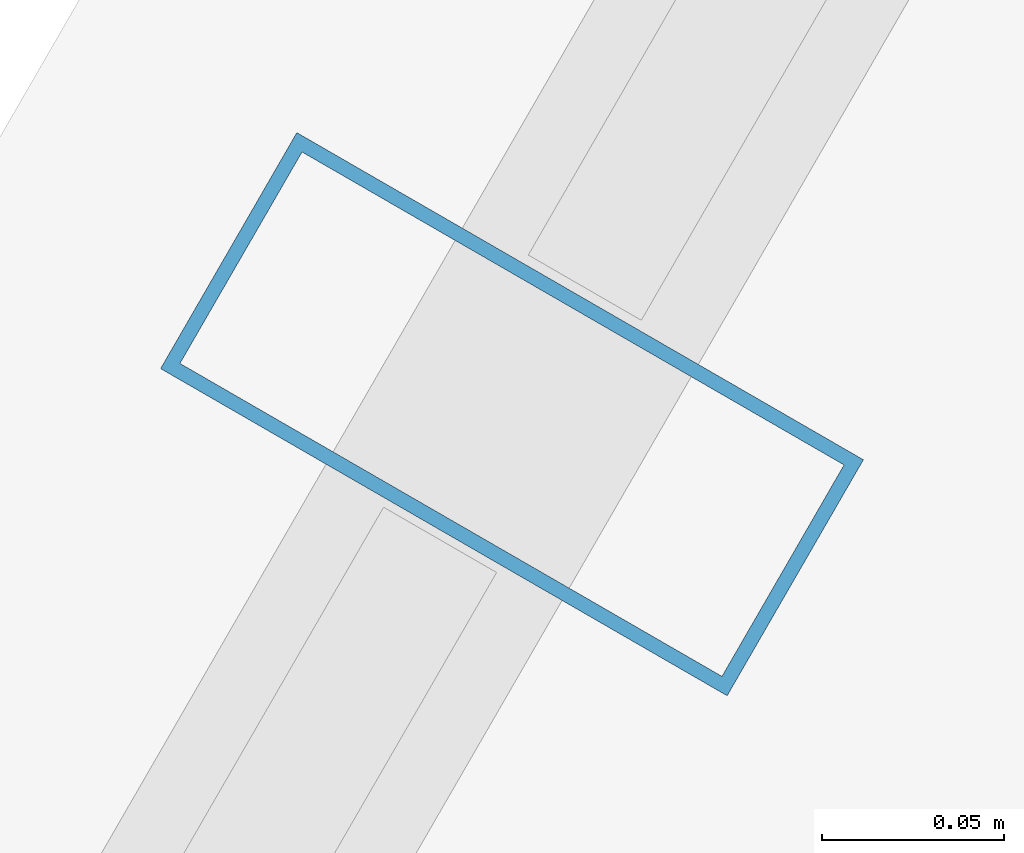
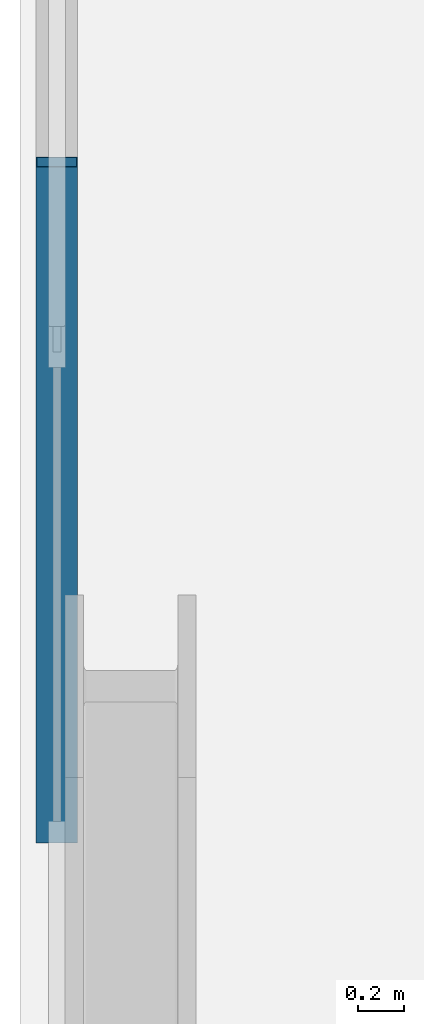
# One storey, part 12 of 33: 1 member, 1 element without a shape of its own.
"""IFC4 building model written with IfcOpenShell, lengths in metres."""

from ifc_helpers import new_model, si_unit, direction, frame, origin, origin_2d, place, context, subcontext, project, spatial, hollow_rectangle, extrude, material, layer, layer_set, material_profile, profile_set, type_object, element, aggregate, save


model = new_model("IFC4")

# Units and contexts
model_context = context("Model", 3, precision=1e-05, world=origin(), true_north=direction((0.0, 1.0)))
body_context = subcontext(model_context, "Body", "Model", "MODEL_VIEW")
ifc_project = project(units=[si_unit("LENGTHUNIT", "METRE"), si_unit("AREAUNIT", "SQUARE_METRE"), si_unit("VOLUMEUNIT", "CUBIC_METRE"), si_unit("PLANEANGLEUNIT", "RADIAN"), si_unit("MASSUNIT", "GRAM", prefix="KILO")], contexts=[model_context])

# Site, building, storey
site_placement = place(None, origin())
site = spatial("IfcSite", under=ifc_project, at=site_placement, CompositionType="ELEMENT")
building_placement = place(site_placement, origin())
building = spatial("IfcBuilding", under=site, at=building_placement, Name="Ndaravel Arena Tower", CompositionType="ELEMENT")
storey_placement = place(building_placement, frame((0.0, 0.0, 39.800048828125)))
storey = spatial("IfcBuildingStorey", under=building, at=storey_placement, Name="L07", CompositionType="ELEMENT", Elevation=39.800048828125)

# Curtain wall, member
ifc_material_1 = material(Name="Aluminium", Category="aluminium")
ifc_layer = layer(ifc_material_1, 0.179931640625)
ifc_layer_set = layer_set([ifc_layer], Name="Aluminium")
curtain_wall_type = type_object("IfcCurtainWallType", Name="CW-SYS-03", PredefinedType="NOTDEFINED", material=ifc_layer_set)
curtain_wall_placement = place(storey_placement, origin())
curtain_wall = element("IfcCurtainWall", 1, at=curtain_wall_placement, inside=storey, type_object=curtain_wall_type, Name="L07 Faceted Crystal Curtain Wall CW-L07-E05", PredefinedType="NOTDEFINED")
ifc_material_2 = material(Name="Aluminium", Category="aluminium")
ifc_material_profile = material_profile(ifc_material_2, hollow_rectangle(XDim=0.074951171875, YDim=0.179931640625, WallThickness=0.00390625, at=origin_2d()), Name="CW MULLION 75x180x4")
ifc_profile_set = profile_set([ifc_material_profile], Name="Aluminium")
member_type = type_object("IfcMemberType", Name="MEM-CW-MUL180", PredefinedType="MULLION", material=ifc_profile_set)
member_placement = place(storey_placement, frame((27.208984375, 34.561279296875, 0.0), z_axis=(0.0, 0.0, 1.0), x_axis=(-0.5, -0.866025403784, 0.0)))
member = element("IfcMember", 2, at=member_placement, type_object=member_type, Name="CW-L07-E05 Mullion 03", PredefinedType="MULLION", context=body_context, shape_type="SweptSolid", body=[
    extrude(hollow_rectangle(XDim=0.074951171875, YDim=0.179931640625, WallThickness=0.00390625, at=origin_2d()), origin(), (0.0, 0.0, 1.0), 3.579833984375),
])
aggregate(curtain_wall, [member])

save(model, "model.ifc")
